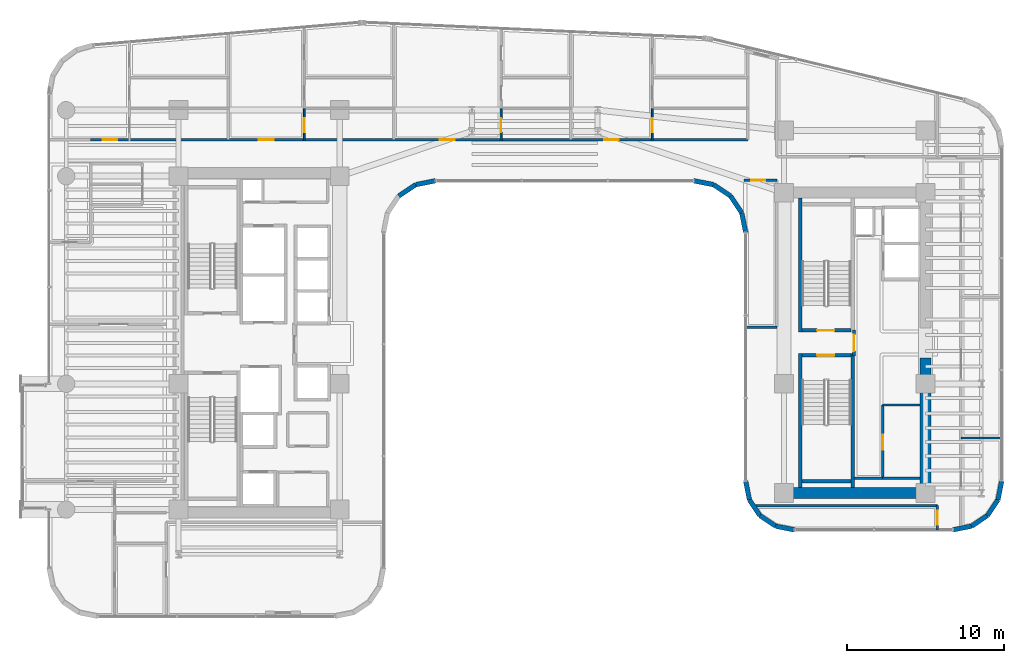
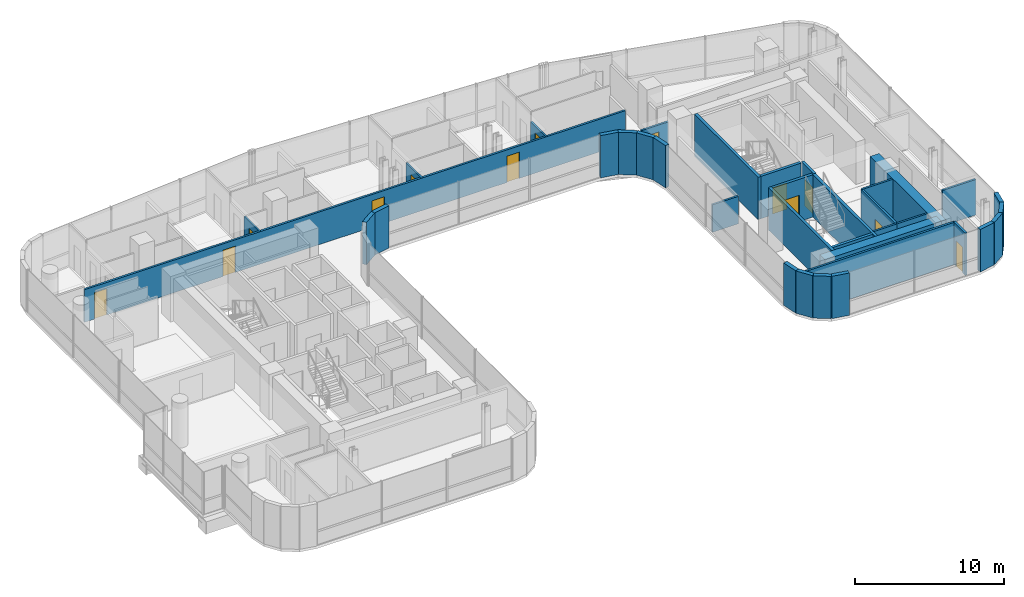
# One storey, part 30 of 37: 36 walls, 13 doors, 13 openings.
"""IFC4 building model written with IfcOpenShell, lengths in metres."""

from ifc_helpers import new_model, si_unit, direction, frame, frame_2d, origin, place, context, subcontext, project, spatial, rectangle, extrude, material, layer, layer_set, type_object, element, fill, save


model = new_model("IFC4")

# Units and contexts
model_context = context("Model", 3, precision=1e-05, world=origin(), true_north=direction((0.0, 1.0)))
body_context = subcontext(model_context, "Body", "Model", "MODEL_VIEW")
ifc_project = project(units=[si_unit("LENGTHUNIT", "METRE"), si_unit("AREAUNIT", "SQUARE_METRE"), si_unit("VOLUMEUNIT", "CUBIC_METRE"), si_unit("PLANEANGLEUNIT", "RADIAN"), si_unit("MASSUNIT", "GRAM", prefix="KILO")], contexts=[model_context])

# Site, building, storey
site_placement = place(None, origin())
site = spatial("IfcSite", under=ifc_project, at=site_placement, CompositionType="ELEMENT")
building_placement = place(site_placement, origin())
building = spatial("IfcBuilding", under=site, at=building_placement, Name="Valdorenza Pilgrim Sanctuary Tower", CompositionType="ELEMENT")
storey_placement = place(building_placement, frame((0.0, 0.0, 127.89990234375)))
storey = spatial("IfcBuildingStorey", under=building, at=storey_placement, Name="L32", CompositionType="ELEMENT", Elevation=127.89990234375)

# Wall
ifc_material_1 = material(Name="Acoustic twin-stud gypsum partition", Category="gypsum")
ifc_layer_1 = layer(ifc_material_1, 0.159912109375, Name="Acoustic twin-stud gypsum partition")
ifc_layer_set_1 = layer_set([ifc_layer_1], Name="Acoustic twin-stud gypsum partition")
wall_type_1 = type_object("IfcWallType", Name="WAL-COR-160", PredefinedType="PARTITIONING", material=ifc_layer_set_1)
wall_1_placement = place(storey_placement, frame((20.300048828125, -8.60009765625, 0.0), z_axis=(0.0, 0.0, 1.0), x_axis=(1.0, 0.0, 0.0)))
element("IfcWall", 1, at=wall_1_placement, inside=storey, type_object=wall_type_1, Name="L32 Core B Lift Hall South End Wall", PredefinedType="PARTITIONING", context=body_context, shape_type="SweptSolid", body=[
    extrude(rectangle(XDim=1.820068359375, YDim=0.159912109375, at=frame_2d((0.91015625, 0.0))), origin(), (0.0, 0.0, 1.0), 3.460205078125),
])

# Wall, opening, door
wall_2_placement = place(storey_placement, frame((22.1201171875, -8.60009765625, 0.0), z_axis=(0.0, 0.0, 1.0), x_axis=(0.0, 1.0, 0.0)))
wall_2 = element("IfcWall", 2, at=wall_2_placement, inside=storey, type_object=wall_type_1, Name="L32 Core B Freed Shaft West Wall", PredefinedType="PARTITIONING", context=body_context, shape_type="SweptSolid", body=[
    extrude(rectangle(XDim=4.650146484375, YDim=0.159912109375, at=frame_2d((2.3251953125, 0.0))), origin(), (0.0, 0.0, 1.0), 3.460205078125),
])
opening_1_placement = place(wall_2_placement, frame((1.800048828125, 0.0, 0.0)))
opening_1 = element("IfcOpeningElement", 3, at=opening_1_placement, cuts=wall_2, Name="Opening DR-UN1", PredefinedType="OPENING", context=body_context, shape_type="SweptSolid", body=[
    extrude(rectangle(XDim=0.949951171875, YDim=2.14990234375, at=frame_2d((0.47509765625, 1.074951171875))), frame((0.0, 0.0947265625, 0.0), z_axis=(0.0, -1.0, 0.0), x_axis=(1.0, 0.0, 0.0)), (0.0, 0.0, 1.0), 0.189697265625),
])
ifc_material_2 = material(Name="Solid-core European oak timber", Category="wood")
door_type_1 = type_object("IfcDoorType", Name="DR-UNIT-950", OperationType="NOTDEFINED", PredefinedType="DOOR", material=ifc_material_2)
door_1_placement = place(opening_1_placement, origin())
door_1 = element("IfcDoor", 4, at=door_1_placement, inside=storey, type_object=door_type_1, Name="L32 East Core Linen Store Door", OperationType="SINGLE_SWING_LEFT", OverallHeight=2.14990234375, OverallWidth=0.949951171875, PredefinedType="DOOR", context=body_context, shape_type="SweptSolid", body=[
    extrude(rectangle(XDim=0.949951171875, YDim=2.14990234375, at=frame_2d((0.47509765625, 1.074951171875))), frame((0.0, 0.02490234375, 0.0), z_axis=(0.0, -1.0, 0.0), x_axis=(1.0, 0.0, 0.0)), (0.0, 0.0, 1.0), 0.050048828125),
])
fill(opening_1, door_1)

# Wall, openings, doors
wall_3_placement = place(storey_placement, frame((-28.25, 12.919921875, 0.0), z_axis=(0.0, 0.0, 1.0), x_axis=(1.0, 0.0, 0.0)))
wall_3 = element("IfcWall", 5, at=wall_3_placement, inside=storey, type_object=wall_type_1, Name="L32 North Corridor Wall", PredefinedType="PARTITIONING", context=body_context, shape_type="SweptSolid", body=[
    extrude(rectangle(XDim=41.800048828125, YDim=0.159912109375, at=frame_2d((20.89990234375, 0.0))), origin(), (0.0, 0.0, 1.0), 2.666015625),
])
opening_2_placement = place(wall_3_placement, frame((0.762939453125, 0.0, 0.0)))
opening_2 = element("IfcOpeningElement", 6, at=opening_2_placement, cuts=wall_3, Name="Opening DR-UN1", PredefinedType="OPENING", context=body_context, shape_type="SweptSolid", body=[
    extrude(rectangle(XDim=0.949951171875, YDim=2.14990234375, at=frame_2d((0.47509765625, 1.074951171875))), frame((0.0, 0.0947265625, 0.0), z_axis=(0.0, -1.0, 0.0), x_axis=(1.0, 0.0, 0.0)), (0.0, 0.0, 1.0), 0.189697265625),
])
opening_3_placement = place(wall_3_placement, frame((10.696044921875, 0.0, 0.0)))
opening_3 = element("IfcOpeningElement", 7, at=opening_3_placement, cuts=wall_3, Name="Opening DR-UN1", PredefinedType="OPENING", context=body_context, shape_type="SweptSolid", body=[
    extrude(rectangle(XDim=0.949951171875, YDim=2.14990234375, at=frame_2d((0.47509765625, 1.074951171875))), frame((0.0, 0.0947265625, 0.0), z_axis=(0.0, -1.0, 0.0), x_axis=(1.0, 0.0, 0.0)), (0.0, 0.0, 1.0), 0.189697265625),
])
opening_4_placement = place(wall_3_placement, frame((22.215087890625, 0.0, 0.0)))
opening_4 = element("IfcOpeningElement", 8, at=opening_4_placement, cuts=wall_3, Name="Opening DR-UN1", PredefinedType="OPENING", context=body_context, shape_type="SweptSolid", body=[
    extrude(rectangle(XDim=0.949951171875, YDim=2.14990234375, at=frame_2d((0.47509765625, 1.074951171875))), frame((0.0, 0.0947265625, 0.0), z_axis=(0.0, -1.0, 0.0), x_axis=(1.0, 0.0, 0.0)), (0.0, 0.0, 1.0), 0.189697265625),
])
opening_5_placement = place(wall_3_placement, frame((32.652099609375, 0.0, 0.0)))
opening_5 = element("IfcOpeningElement", 9, at=opening_5_placement, cuts=wall_3, Name="Opening DR-UN1", PredefinedType="OPENING", context=body_context, shape_type="SweptSolid", body=[
    extrude(rectangle(XDim=0.949951171875, YDim=2.14990234375, at=frame_2d((0.47509765625, 1.074951171875))), frame((0.0, 0.0947265625, 0.0), z_axis=(0.0, -1.0, 0.0), x_axis=(1.0, 0.0, 0.0)), (0.0, 0.0, 1.0), 0.189697265625),
])
door_2_placement = place(opening_2_placement, frame((0.949951171875, 0.0, 0.0), z_axis=(0.0, 0.0, 1.0), x_axis=(-1.0, 0.0, 0.0)))
door_2 = element("IfcDoor", 10, at=door_2_placement, inside=storey, type_object=door_type_1, Name="L32 North Sanctuary Apartment L32-N1 Entrance Door", OperationType="SINGLE_SWING_LEFT", OverallHeight=2.14990234375, OverallWidth=0.949951171875, PredefinedType="DOOR", context=body_context, shape_type="SweptSolid", body=[
    extrude(rectangle(XDim=0.949951171875, YDim=2.14990234375, at=frame_2d((0.47509765625, 1.074951171875))), frame((0.0, 0.02490234375, 0.0), z_axis=(0.0, -1.0, 0.0), x_axis=(1.0, 0.0, 0.0)), (0.0, 0.0, 1.0), 0.050048828125),
])
fill(opening_2, door_2)
door_3_placement = place(opening_3_placement, frame((0.949951171875, 0.0, 0.0), z_axis=(0.0, 0.0, 1.0), x_axis=(-1.0, 0.0, 0.0)))
door_3 = element("IfcDoor", 11, at=door_3_placement, inside=storey, type_object=door_type_1, Name="L32 North Sanctuary Apartment L32-N2 Entrance Door", OperationType="SINGLE_SWING_LEFT", OverallHeight=2.14990234375, OverallWidth=0.949951171875, PredefinedType="DOOR", context=body_context, shape_type="SweptSolid", body=[
    extrude(rectangle(XDim=0.949951171875, YDim=2.14990234375, at=frame_2d((0.47509765625, 1.074951171875))), frame((0.0, 0.02490234375, 0.0), z_axis=(0.0, -1.0, 0.0), x_axis=(1.0, 0.0, 0.0)), (0.0, 0.0, 1.0), 0.050048828125),
])
fill(opening_3, door_3)
door_4_placement = place(opening_4_placement, frame((0.949951171875, 0.0, 0.0), z_axis=(0.0, 0.0, 1.0), x_axis=(-1.0, 0.0, 0.0)))
door_4 = element("IfcDoor", 12, at=door_4_placement, inside=storey, type_object=door_type_1, Name="L32 North Sanctuary Apartment L32-N3 Entrance Door", OperationType="SINGLE_SWING_LEFT", OverallHeight=2.14990234375, OverallWidth=0.949951171875, PredefinedType="DOOR", context=body_context, shape_type="SweptSolid", body=[
    extrude(rectangle(XDim=0.949951171875, YDim=2.14990234375, at=frame_2d((0.47509765625, 1.074951171875))), frame((0.0, 0.02490234375, 0.0), z_axis=(0.0, -1.0, 0.0), x_axis=(1.0, 0.0, 0.0)), (0.0, 0.0, 1.0), 0.050048828125),
])
fill(opening_4, door_4)
door_5_placement = place(opening_5_placement, frame((0.949951171875, 0.0, 0.0), z_axis=(0.0, 0.0, 1.0), x_axis=(-1.0, 0.0, 0.0)))
door_5 = element("IfcDoor", 13, at=door_5_placement, inside=storey, type_object=door_type_1, Name="L32 North Sanctuary Apartment L32-N4 Entrance Door", OperationType="SINGLE_SWING_LEFT", OverallHeight=2.14990234375, OverallWidth=0.949951171875, PredefinedType="DOOR", context=body_context, shape_type="SweptSolid", body=[
    extrude(rectangle(XDim=0.949951171875, YDim=2.14990234375, at=frame_2d((0.47509765625, 1.074951171875))), frame((0.0, 0.02490234375, 0.0), z_axis=(0.0, -1.0, 0.0), x_axis=(1.0, 0.0, 0.0)), (0.0, 0.0, 1.0), 0.050048828125),
])
fill(opening_5, door_5)

# Wall, opening, door
wall_4_placement = place(storey_placement, frame((25.60009765625, -11.889892578125, 0.0), z_axis=(0.0, 0.0, 1.0), x_axis=(0.0, 1.0, 0.0)))
wall_4 = element("IfcWall", 14, at=wall_4_placement, inside=storey, type_object=wall_type_1, Name="L32 Wing B South-East Wall", PredefinedType="PARTITIONING", context=body_context, shape_type="SweptSolid", body=[
    extrude(rectangle(XDim=1.539794921875, YDim=0.159912109375, at=frame_2d((0.77001953125, 0.0))), origin(), (0.0, 0.0, 1.0), 3.460205078125),
])
opening_6_placement = place(wall_4_placement, frame((0.320068359375, 0.0, 0.0)))
opening_6 = element("IfcOpeningElement", 15, at=opening_6_placement, cuts=wall_4, Name="Opening DR-RM1", PredefinedType="OPENING", context=body_context, shape_type="SweptSolid", body=[
    extrude(rectangle(XDim=0.89990234375, YDim=2.10009765625, at=frame_2d((0.449951171875, 1.050048828125))), frame((0.0, 0.0947265625, 0.0), z_axis=(0.0, -1.0, 0.0), x_axis=(1.0, 0.0, 0.0)), (0.0, 0.0, 1.0), 0.189697265625),
])
door_type_2 = type_object("IfcDoorType", Name="DR-ROOM-900", OperationType="NOTDEFINED", PredefinedType="DOOR", material=ifc_material_2)
door_6_placement = place(opening_6_placement, origin())
door_6 = element("IfcDoor", 16, at=door_6_placement, inside=storey, type_object=door_type_2, Name="L32 Sacred Manuscript Archive L32-BS Door", OperationType="SINGLE_SWING_RIGHT", OverallHeight=2.10009765625, OverallWidth=0.89990234375, PredefinedType="DOOR", context=body_context, shape_type="SweptSolid", body=[
    extrude(rectangle(XDim=0.89990234375, YDim=2.10009765625, at=frame_2d((0.449951171875, 1.050048828125))), frame((0.0, 0.02490234375, 0.0), z_axis=(0.0, -1.0, 0.0), x_axis=(1.0, 0.0, 0.0)), (0.0, 0.0, 1.0), 0.050048828125),
])
fill(opening_6, door_6)

# Wall
wall_5_placement = place(storey_placement, frame((14.043701171875, -10.35009765625, 0.0), z_axis=(0.0, 0.0, 1.0), x_axis=(1.0, 0.0, 0.0)))
element("IfcWall", 17, at=wall_5_placement, inside=storey, type_object=wall_type_1, Name="L32 Wing B South Closure", PredefinedType="PARTITIONING", context=body_context, shape_type="SweptSolid", body=[
    extrude(rectangle(XDim=11.556396484375, YDim=0.159912109375, at=frame_2d((5.7783203125, 0.0))), origin(), (0.0, 0.0, 1.0), 3.460205078125),
])

# Wall, opening, door
wall_6_placement = place(storey_placement, frame((13.300048828125, 10.35009765625, 0.0), z_axis=(0.0, 0.0, 1.0), x_axis=(1.0, 0.0, 0.0)))
wall_6 = element("IfcWall", 18, at=wall_6_placement, inside=storey, type_object=wall_type_1, Name="L32 Courtyard Overlook North Wall", PredefinedType="PARTITIONING", context=body_context, shape_type="SweptSolid", body=[
    extrude(rectangle(XDim=2.099853515625, YDim=0.159912109375, at=frame_2d((1.0498046875, 0.0))), origin(), (0.0, 0.0, 1.0), 2.666015625),
])
opening_7_placement = place(wall_6_placement, frame((0.449951171875, 0.0, 0.0)))
opening_7 = element("IfcOpeningElement", 19, at=opening_7_placement, cuts=wall_6, Name="Opening DR-RM1", PredefinedType="OPENING", context=body_context, shape_type="SweptSolid", body=[
    extrude(rectangle(XDim=0.89990234375, YDim=2.10009765625, at=frame_2d((0.449951171875, 1.050048828125))), frame((0.0, 0.0947265625, 0.0), z_axis=(0.0, -1.0, 0.0), x_axis=(1.0, 0.0, 0.0)), (0.0, 0.0, 1.0), 0.189697265625),
])
door_7_placement = place(opening_7_placement, origin())
door_7 = element("IfcDoor", 20, at=door_7_placement, inside=storey, type_object=door_type_2, Name="L32 Courtyard Overlook Salon Door", OperationType="SINGLE_SWING_LEFT", OverallHeight=2.10009765625, OverallWidth=0.89990234375, PredefinedType="DOOR", context=body_context, shape_type="SweptSolid", body=[
    extrude(rectangle(XDim=0.89990234375, YDim=2.10009765625, at=frame_2d((0.449951171875, 1.050048828125))), frame((0.0, 0.02490234375, 0.0), z_axis=(0.0, -1.0, 0.0), x_axis=(1.0, 0.0, 0.0)), (0.0, 0.0, 1.0), 0.050048828125),
])
fill(opening_7, door_7)

# Walls
wall_7_placement = place(storey_placement, frame((13.409912109375, 1.0, 0.0), z_axis=(0.0, 0.0, 1.0), x_axis=(1.0, 0.0, 0.0)))
element("IfcWall", 21, at=wall_7_placement, inside=storey, type_object=wall_type_1, Name="L32 Courtyard Overlook South Wall", PredefinedType="PARTITIONING", context=body_context, shape_type="SweptSolid", body=[
    extrude(rectangle(XDim=1.989990234375, YDim=0.159912109375, at=frame_2d((0.9951171875, 0.0))), origin(), (0.0, 0.0, 1.0), 2.2451171875),
])
ifc_material_3 = material(Name="Concrete C60/75", Category="concrete")
ifc_layer_2 = layer(ifc_material_3, 0.699951171875, Name="Concrete C60/75")
ifc_layer_set_2 = layer_set([ifc_layer_2], Name="Concrete C60/75")
wall_type_2 = type_object("IfcWallType", Name="WAL-COR-700", PredefinedType="SHEAR", material=ifc_layer_set_2)
wall_8_placement = place(storey_placement, frame((24.85009765625, -9.89990234375, 0.0), z_axis=(0.0, 0.0, 1.0), x_axis=(0.0, 1.0, 0.0)))
element("IfcWall", 22, at=wall_8_placement, inside=storey, type_object=wall_type_2, Name="L32 Split Core B Shear Wall ES", PredefinedType="SHEAR", context=body_context, shape_type="SweptSolid", body=[
    extrude(rectangle(XDim=8.949951171875, YDim=0.699951171875, at=frame_2d((4.47509765625, 0.0))), origin(), (0.0, 0.0, 1.0), 3.460205078125),
])
wall_9_placement = place(storey_placement, frame((15.85009765625, -9.550048828125, 0.0), z_axis=(0.0, 0.0, 1.0), x_axis=(1.0, 0.0, 0.0)))
element("IfcWall", 23, at=wall_9_placement, inside=storey, type_object=wall_type_2, Name="L32 Split Core B Shear Wall S", PredefinedType="SHEAR", context=body_context, shape_type="SweptSolid", body=[
    extrude(rectangle(XDim=9.0, YDim=0.699951171875, at=frame_2d((4.5, 0.0))), origin(), (0.0, 0.0, 1.0), 3.460205078125),
])
ifc_material_4 = material(Name="Honed travertine limestone", Category="masonry")
ifc_layer_3 = layer(ifc_material_4, 0.300048828125, Name="Honed travertine limestone")
ifc_layer_set_3 = layer_set([ifc_layer_3], Name="Honed travertine limestone")
wall_type_3 = type_object("IfcWallType", Name="WAL-EXT-300", PredefinedType="SOLIDWALL", material=ifc_layer_set_3)
wall_10_placement = place(storey_placement, frame((29.68994140625, -8.789306640625, 0.0), z_axis=(0.0, 0.0, 1.0), x_axis=(-0.194996050505, -0.980804027463, 0.0)))
element("IfcWall", 24, at=wall_10_placement, inside=storey, type_object=wall_type_3, Name="L32 Rounded Wind-Corner Stone Pier 22", PredefinedType="SOLIDWALL", context=body_context, shape_type="SweptSolid", body=[
    extrude(rectangle(XDim=1.2158203125, YDim=0.300048828125, at=frame_2d((0.60791015625, 0.0))), origin(), (0.0, 0.0, 1.0), 3.460205078125),
])
for number, where, z_axis, x_axis, name in (
    (25, (29.452880859375, -9.981689453125, 0.0), (0.0, 0.0, 1.0), (-0.555635100982, -0.831426265255, 0.0), "L32 Rounded Wind-Corner Stone Pier 23"),
    (26, (28.783447265625, -10.9833984375, 0.0), (0.0, 0.0, 1.0), (-0.831426265255, -0.555635100982, 0.0), "L32 Rounded Wind-Corner Stone Pier 24"),
):
    element("IfcWall", number, at=place(storey_placement, frame(where, z_axis=z_axis, x_axis=x_axis)), inside=storey, type_object=wall_type_3, Name=name, PredefinedType="SOLIDWALL", context=body_context, shape_type="SweptSolid", body=[
        extrude(rectangle(XDim=1.204833984375, YDim=0.300048828125, at=frame_2d((0.6025390625, 0.0))), origin(), (0.0, 0.0, 1.0), 3.460205078125),
    ])
wall_11_placement = place(storey_placement, frame((27.78173828125, -11.65283203125, 0.0), z_axis=(0.0, 0.0, 1.0), x_axis=(-0.980811661072, -0.194957650543, 0.0)))
element("IfcWall", 27, at=wall_11_placement, inside=storey, type_object=wall_type_3, Name="L32 Rounded Wind-Corner Stone Pier 25", PredefinedType="SOLIDWALL", context=body_context, shape_type="SweptSolid", body=[
    extrude(rectangle(XDim=1.216064453125, YDim=0.300048828125, at=frame_2d((0.60791015625, 0.0))), origin(), (0.0, 0.0, 1.0), 3.460205078125),
])
wall_12_placement = place(storey_placement, frame((16.5107421875, -11.889892578125, 0.0), z_axis=(0.0, 0.0, 1.0), x_axis=(-0.980804027463, 0.194996050505, 0.0)))
element("IfcWall", 28, at=wall_12_placement, inside=storey, type_object=wall_type_3, Name="L32 Rounded Wind-Corner Stone Pier 27", PredefinedType="SOLIDWALL", context=body_context, shape_type="SweptSolid", body=[
    extrude(rectangle(XDim=1.2158203125, YDim=0.300048828125, at=frame_2d((0.60791015625, 0.0))), origin(), (0.0, 0.0, 1.0), 3.460205078125),
])
for number, where, z_axis, x_axis, name in (
    (29, (15.318359375, -11.65283203125, 0.0), (0.0, 0.0, 1.0), (-0.831426265255, 0.555635100982, 0.0), "L32 Rounded Wind-Corner Stone Pier 28"),
    (30, (14.316650390625, -10.9833984375, 0.0), (0.0, 0.0, 1.0), (-0.555635100982, 0.831426265255, 0.0), "L32 Rounded Wind-Corner Stone Pier 29"),
):
    element("IfcWall", number, at=place(storey_placement, frame(where, z_axis=z_axis, x_axis=x_axis)), inside=storey, type_object=wall_type_3, Name=name, PredefinedType="SOLIDWALL", context=body_context, shape_type="SweptSolid", body=[
        extrude(rectangle(XDim=1.204833984375, YDim=0.300048828125, at=frame_2d((0.6025390625, 0.0))), origin(), (0.0, 0.0, 1.0), 3.460205078125),
    ])
wall_13_placement = place(storey_placement, frame((13.647216796875, -9.981689453125, 0.0), z_axis=(0.0, 0.0, 1.0), x_axis=(-0.195189223115, 0.980765602568, 0.0)))
element("IfcWall", 31, at=wall_13_placement, inside=storey, type_object=wall_type_3, Name="L32 Rounded Wind-Corner Stone Pier 30", PredefinedType="SOLIDWALL", context=body_context, shape_type="SweptSolid", body=[
    extrude(rectangle(XDim=1.2158203125, YDim=0.300048828125, at=frame_2d((0.60791015625, 0.0))), origin(), (0.0, 0.0, 1.0), 3.460205078125),
])
wall_14_placement = place(storey_placement, frame((13.409912109375, 7.0107421875, 0.0), z_axis=(0.0, 0.0, 1.0), x_axis=(-0.195090163074, 0.980785312019, 0.0)))
element("IfcWall", 32, at=wall_14_placement, inside=storey, type_object=wall_type_3, Name="L32 Rounded Wind-Corner Stone Pier 32", PredefinedType="SOLIDWALL", context=body_context, shape_type="SweptSolid", body=[
    extrude(rectangle(XDim=1.281494140625, YDim=0.300048828125, at=frame_2d((0.640625, 0.0))), origin(), (0.0, 0.0, 1.0), 3.460205078125),
])
for number, where, z_axis, x_axis, name in (
    (33, (13.159912109375, 8.267578125, 0.0), (0.0, 0.0, 1.0), (-0.555615398575, 0.831439431869, 0.0), "L32 Rounded Wind-Corner Stone Pier 33"),
    (34, (12.44189453125, 9.342041015625, 0.0), (0.0, 0.0, 1.0), (-0.831439431869, 0.555615398575, 0.0), "L32 Rounded Wind-Corner Stone Pier 34"),
):
    element("IfcWall", number, at=place(storey_placement, frame(where, z_axis=z_axis, x_axis=x_axis)), inside=storey, type_object=wall_type_3, Name=name, PredefinedType="SOLIDWALL", context=body_context, shape_type="SweptSolid", body=[
        extrude(rectangle(XDim=1.292236328125, YDim=0.300048828125, at=frame_2d((0.64599609375, 0.0))), origin(), (0.0, 0.0, 1.0), 3.460205078125),
    ])
for number, where, z_axis, x_axis, name in (
    (35, (11.367431640625, 10.06005859375, 0.0), (0.0, 0.0, 1.0), (-0.980778058848, 0.195126623715, 0.0), "L32 Rounded Wind-Corner Stone Pier 35"),
    (36, (-6.310791015625, 10.31005859375, 0.0), (0.0, 0.0, 1.0), (-0.980778058848, -0.195126623715, 0.0), "L32 Rounded Wind-Corner Stone Pier 37"),
):
    element("IfcWall", number, at=place(storey_placement, frame(where, z_axis=z_axis, x_axis=x_axis)), inside=storey, type_object=wall_type_3, Name=name, PredefinedType="SOLIDWALL", context=body_context, shape_type="SweptSolid", body=[
        extrude(rectangle(XDim=1.28125, YDim=0.300048828125, at=frame_2d((0.640625, 0.0))), origin(), (0.0, 0.0, 1.0), 3.460205078125),
    ])
wall_15_placement = place(storey_placement, frame((-7.5673828125, 10.06005859375, 0.0), z_axis=(0.0, 0.0, 1.0), x_axis=(-0.831497739511, -0.555528135371, 0.0)))
element("IfcWall", 37, at=wall_15_placement, inside=storey, type_object=wall_type_3, Name="L32 Rounded Wind-Corner Stone Pier 38", PredefinedType="SOLIDWALL", context=body_context, shape_type="SweptSolid", body=[
    extrude(rectangle(XDim=1.29248046875, YDim=0.300048828125, at=frame_2d((0.646240234375, 0.0))), origin(), (0.0, 0.0, 1.0), 3.460205078125),
])

# Wall, opening, door
ifc_material_5 = material(Name="Gypsum shaftwall partition", Category="gypsum")
ifc_layer_4 = layer(ifc_material_5, 0.199951171875, Name="Gypsum shaftwall partition")
ifc_layer_set_4 = layer_set([ifc_layer_4], Name="Gypsum shaftwall partition")
wall_type_4 = type_object("IfcWallType", Name="WAL-FFL-200", PredefinedType="PARTITIONING", material=ifc_layer_set_4)
wall_16_placement = place(storey_placement, frame((20.300048828125, -0.820068359375, 0.0), z_axis=(0.0, 0.0, 1.0), x_axis=(0.0, 1.0, 0.0)))
wall_16 = element("IfcWall", 38, at=wall_16_placement, inside=storey, type_object=wall_type_4, Name="L32 Core B Firefighting Lobby East Wall", PredefinedType="PARTITIONING", context=body_context, shape_type="SweptSolid", body=[
    extrude(rectangle(XDim=1.64013671875, YDim=0.199951171875, at=frame_2d((0.820068359375, 0.0))), origin(), (0.0, 0.0, 1.0), 3.460205078125),
])
opening_8_placement = place(wall_16_placement, frame((0.294921875, 0.0, 0.0)))
opening_8 = element("IfcOpeningElement", 39, at=opening_8_placement, cuts=wall_16, Name="Opening DR-FL1", PredefinedType="OPENING", context=body_context, shape_type="SweptSolid", body=[
    extrude(rectangle(XDim=1.050048828125, YDim=2.14990234375, at=frame_2d((0.52490234375, 1.074951171875))), frame((0.0, 0.11474609375, 0.0), z_axis=(0.0, -1.0, 0.0), x_axis=(1.0, 0.0, 0.0)), (0.0, 0.0, 1.0), 0.229736328125),
])
ifc_material_6 = material(Name="Painted galvanized steel", Category="steel")
door_type_3 = type_object("IfcDoorType", Name="DR-FFL-1050", OperationType="NOTDEFINED", PredefinedType="DOOR", material=ifc_material_6)
door_8_placement = place(opening_8_placement, frame((1.050048828125, 0.0, 0.0), z_axis=(0.0, 0.0, 1.0), x_axis=(-1.0, 0.0, 0.0)))
door_8 = element("IfcDoor", 40, at=door_8_placement, inside=storey, type_object=door_type_3, Name="L32 Core B Firefighting Lobby Door", OperationType="SINGLE_SWING_LEFT", OverallHeight=2.14990234375, OverallWidth=1.050048828125, PredefinedType="DOOR", context=body_context, shape_type="SweptSolid", body=[
    extrude(rectangle(XDim=1.050048828125, YDim=2.14990234375, at=frame_2d((0.52490234375, 1.074951171875))), frame((0.0, 0.02490234375, 0.0), z_axis=(0.0, -1.0, 0.0), x_axis=(1.0, 0.0, 0.0)), (0.0, 0.0, 1.0), 0.050048828125),
])
fill(opening_8, door_8)

ifc_material_7 = material(Name="Moisture-resistant gypsum partition", Category="gypsum")
ifc_layer_5 = layer(ifc_material_7, 0.1201171875, Name="Moisture-resistant gypsum partition")
ifc_layer_set_5 = layer_set([ifc_layer_5], Name="Moisture-resistant gypsum partition")
wall_type_5 = type_object("IfcWallType", Name="WAL-INT-120", PredefinedType="PARTITIONING", material=ifc_layer_set_5)
wall_17_placement = place(storey_placement, frame((-14.658447265625, 12.840087890625, 0.0), z_axis=(0.0, 0.0, 1.0), x_axis=(0.0, 1.0, 0.0)))
wall_17 = element("IfcWall", 41, at=wall_17_placement, inside=storey, type_object=wall_type_5, Name="L32 North Sanctuary Apartment L32-N2 Kitchen Door Wall", PredefinedType="PARTITIONING", context=body_context, shape_type="SweptSolid", body=[
    extrude(rectangle(XDim=2.079833984375, YDim=0.1201171875, at=frame_2d((1.0400390625, 0.0))), origin(), (0.0, 0.0, 1.0), 2.666015625),
])
opening_9_placement = place(wall_17_placement, frame((0.550048828125, 0.0, 0.0)))
opening_9 = element("IfcOpeningElement", 42, at=opening_9_placement, cuts=wall_17, Name="Opening DR-RM1", PredefinedType="OPENING", context=body_context, shape_type="SweptSolid", body=[
    extrude(rectangle(XDim=0.89990234375, YDim=2.10009765625, at=frame_2d((0.449951171875, 1.050048828125))), frame((0.0, 0.074951171875, 0.0), z_axis=(0.0, -1.0, 0.0), x_axis=(1.0, 0.0, 0.0)), (0.0, 0.0, 1.0), 0.14990234375),
])
door_9_placement = place(opening_9_placement, origin())
door_9 = element("IfcDoor", 43, at=door_9_placement, inside=storey, type_object=door_type_2, Name="L32 North Sanctuary Apartment L32-N2 Kitchen Door", OperationType="SINGLE_SWING_LEFT", OverallHeight=2.10009765625, OverallWidth=0.89990234375, PredefinedType="DOOR", context=body_context, shape_type="SweptSolid", body=[
    extrude(rectangle(XDim=0.89990234375, YDim=2.10009765625, at=frame_2d((0.449951171875, 1.050048828125))), frame((0.0, 0.02490234375, 0.0), z_axis=(0.0, -1.0, 0.0), x_axis=(1.0, 0.0, 0.0)), (0.0, 0.0, 1.0), 0.050048828125),
])
fill(opening_9, door_9)

wall_18_placement = place(storey_placement, frame((-2.14453125, 12.840087890625, 0.0), z_axis=(0.0, 0.0, 1.0), x_axis=(0.0, 1.0, 0.0)))
wall_18 = element("IfcWall", 44, at=wall_18_placement, inside=storey, type_object=wall_type_5, Name="L32 North Sanctuary Apartment L32-N3 Kitchen Door Wall", PredefinedType="PARTITIONING", context=body_context, shape_type="SweptSolid", body=[
    extrude(rectangle(XDim=2.079833984375, YDim=0.1201171875, at=frame_2d((1.0400390625, 0.0))), origin(), (0.0, 0.0, 1.0), 2.666015625),
])
opening_10_placement = place(wall_18_placement, frame((0.550048828125, 0.0, 0.0)))
opening_10 = element("IfcOpeningElement", 45, at=opening_10_placement, cuts=wall_18, Name="Opening DR-RM1", PredefinedType="OPENING", context=body_context, shape_type="SweptSolid", body=[
    extrude(rectangle(XDim=0.89990234375, YDim=2.10009765625, at=frame_2d((0.449951171875, 1.050048828125))), frame((0.0, 0.074951171875, 0.0), z_axis=(0.0, -1.0, 0.0), x_axis=(1.0, 0.0, 0.0)), (0.0, 0.0, 1.0), 0.14990234375),
])
door_10_placement = place(opening_10_placement, origin())
door_10 = element("IfcDoor", 46, at=door_10_placement, inside=storey, type_object=door_type_2, Name="L32 North Sanctuary Apartment L32-N3 Kitchen Door", OperationType="SINGLE_SWING_LEFT", OverallHeight=2.10009765625, OverallWidth=0.89990234375, PredefinedType="DOOR", context=body_context, shape_type="SweptSolid", body=[
    extrude(rectangle(XDim=0.89990234375, YDim=2.10009765625, at=frame_2d((0.449951171875, 1.050048828125))), frame((0.0, 0.02490234375, 0.0), z_axis=(0.0, -1.0, 0.0), x_axis=(1.0, 0.0, 0.0)), (0.0, 0.0, 1.0), 0.050048828125),
])
fill(opening_10, door_10)

wall_19_placement = place(storey_placement, frame((7.468017578125, 12.840087890625, 0.0), z_axis=(0.0, 0.0, 1.0), x_axis=(0.0, 1.0, 0.0)))
wall_19 = element("IfcWall", 47, at=wall_19_placement, inside=storey, type_object=wall_type_5, Name="L32 North Sanctuary Apartment L32-N4 Kitchen Door Wall", PredefinedType="PARTITIONING", context=body_context, shape_type="SweptSolid", body=[
    extrude(rectangle(XDim=2.079833984375, YDim=0.1201171875, at=frame_2d((1.0400390625, 0.0))), origin(), (0.0, 0.0, 1.0), 2.666015625),
])
opening_11_placement = place(wall_19_placement, frame((0.550048828125, 0.0, 0.0)))
opening_11 = element("IfcOpeningElement", 48, at=opening_11_placement, cuts=wall_19, Name="Opening DR-RM1", PredefinedType="OPENING", context=body_context, shape_type="SweptSolid", body=[
    extrude(rectangle(XDim=0.89990234375, YDim=2.10009765625, at=frame_2d((0.449951171875, 1.050048828125))), frame((0.0, 0.074951171875, 0.0), z_axis=(0.0, -1.0, 0.0), x_axis=(1.0, 0.0, 0.0)), (0.0, 0.0, 1.0), 0.14990234375),
])
door_11_placement = place(opening_11_placement, origin())
door_11 = element("IfcDoor", 49, at=door_11_placement, inside=storey, type_object=door_type_2, Name="L32 North Sanctuary Apartment L32-N4 Kitchen Door", OperationType="SINGLE_SWING_LEFT", OverallHeight=2.10009765625, OverallWidth=0.89990234375, PredefinedType="DOOR", context=body_context, shape_type="SweptSolid", body=[
    extrude(rectangle(XDim=0.89990234375, YDim=2.10009765625, at=frame_2d((0.449951171875, 1.050048828125))), frame((0.0, 0.02490234375, 0.0), z_axis=(0.0, -1.0, 0.0), x_axis=(1.0, 0.0, 0.0)), (0.0, 0.0, 1.0), 0.050048828125),
])
fill(opening_11, door_11)

# Wall
ifc_material_8 = material(Name="Concrete C40/50", Category="concrete")
ifc_layer_6 = layer(ifc_material_8, 0.219970703125, Name="Concrete C40/50")
ifc_layer_set_6 = layer_set([ifc_layer_6], Name="Concrete C40/50")
wall_type_6 = type_object("IfcWallType", Name="WAL-STR-SHF-220", PredefinedType="SHEAR", material=ifc_layer_set_6)
wall_20_placement = place(storey_placement, frame((16.889892578125, 0.679931640625, 0.0), z_axis=(0.0, 0.0, 1.0), x_axis=(0.0, 1.0, 0.0)))
element("IfcWall", 50, at=wall_20_placement, inside=storey, type_object=wall_type_6, Name="L32 ST-B1 Structural Stairwell Wall W", PredefinedType="SHEAR", context=body_context, shape_type="SweptSolid", body=[
    extrude(rectangle(XDim=8.52001953125, YDim=0.219970703125, at=frame_2d((4.260009765625, 0.0))), origin(), (0.0, 0.0, 1.0), 3.460205078125),
])

# Wall, opening, door
wall_21_placement = place(storey_placement, frame((17.0, 0.7900390625, 0.0), z_axis=(0.0, 0.0, 1.0), x_axis=(1.0, 0.0, 0.0)))
wall_21 = element("IfcWall", 51, at=wall_21_placement, inside=storey, type_object=wall_type_6, Name="L32 ST-B1 Structural Stairwell Wall S", PredefinedType="SHEAR", context=body_context, shape_type="SweptSolid", body=[
    extrude(rectangle(XDim=3.110107421875, YDim=0.219970703125, at=frame_2d((1.55517578125, 0.0))), origin(), (0.0, 0.0, 1.0), 3.460205078125),
])
opening_12_placement = place(wall_21_placement, frame((0.949951171875, 0.0, 0.0)))
opening_12 = element("IfcOpeningElement", 52, at=opening_12_placement, cuts=wall_21, Name="Opening DR-ST1", PredefinedType="OPENING", context=body_context, shape_type="SweptSolid", body=[
    extrude(rectangle(XDim=1.10009765625, YDim=2.14990234375, at=frame_2d((0.550048828125, 1.074951171875))), frame((0.0, 0.125, 0.0), z_axis=(0.0, -1.0, 0.0), x_axis=(1.0, 0.0, 0.0)), (0.0, 0.0, 1.0), 0.249755859375),
])
door_type_4 = type_object("IfcDoorType", Name="DR-STAIR-1100", OperationType="NOTDEFINED", PredefinedType="DOOR", material=ifc_material_6)
door_12_placement = place(opening_12_placement, origin())
door_12 = element("IfcDoor", 53, at=door_12_placement, inside=storey, type_object=door_type_4, Name="L32 Exit Stair ST-B1 Door", OperationType="SINGLE_SWING_RIGHT", OverallHeight=2.14990234375, OverallWidth=1.10009765625, PredefinedType="DOOR", context=body_context, shape_type="SweptSolid", body=[
    extrude(rectangle(XDim=1.10009765625, YDim=2.14990234375, at=frame_2d((0.550048828125, 1.074951171875))), frame((0.0, 0.02490234375, 0.0), z_axis=(0.0, -1.0, 0.0), x_axis=(1.0, 0.0, 0.0)), (0.0, 0.0, 1.0), 0.050048828125),
])
fill(opening_12, door_12)

# Walls
for number, where, z_axis, x_axis, name in (
    (54, (16.889892578125, -9.199951171875, 0.0), (0.0, 0.0, 1.0), (0.0, 1.0, 0.0), "L32 ST-B2 Structural Stairwell Wall W"),
    (55, (20.219970703125, -9.199951171875, 0.0), (0.0, 0.0, 1.0), (0.0, 1.0, 0.0), "L32 ST-B2 Structural Stairwell Wall E"),
):
    element("IfcWall", number, at=place(storey_placement, frame(where, z_axis=z_axis, x_axis=x_axis)), inside=storey, type_object=wall_type_6, Name=name, PredefinedType="SHEAR", context=body_context, shape_type="SweptSolid", body=[
        extrude(rectangle(XDim=8.52001953125, YDim=0.219970703125, at=frame_2d((4.260009765625, 0.0))), origin(), (0.0, 0.0, 1.0), 3.460205078125),
    ])
wall_22_placement = place(storey_placement, frame((17.0, -8.81005859375, 0.0), z_axis=(0.0, 0.0, 1.0), x_axis=(1.0, 0.0, 0.0)))
element("IfcWall", 56, at=wall_22_placement, inside=storey, type_object=wall_type_6, Name="L32 ST-B2 Structural Stairwell Wall S", PredefinedType="SHEAR", context=body_context, shape_type="SweptSolid", body=[
    extrude(rectangle(XDim=3.110107421875, YDim=0.219970703125, at=frame_2d((1.55517578125, 0.0))), origin(), (0.0, 0.0, 1.0), 3.460205078125),
])

# Wall, opening, door
wall_23_placement = place(storey_placement, frame((17.0, -0.7900390625, 0.0), z_axis=(0.0, 0.0, 1.0), x_axis=(1.0, 0.0, 0.0)))
wall_23 = element("IfcWall", 57, at=wall_23_placement, inside=storey, type_object=wall_type_6, Name="L32 ST-B2 Structural Stairwell Wall N", PredefinedType="SHEAR", context=body_context, shape_type="SweptSolid", body=[
    extrude(rectangle(XDim=3.110107421875, YDim=0.219970703125, at=frame_2d((1.55517578125, 0.0))), origin(), (0.0, 0.0, 1.0), 3.460205078125),
])
opening_13_placement = place(wall_23_placement, frame((0.949951171875, 0.0, 0.0)))
opening_13 = element("IfcOpeningElement", 58, at=opening_13_placement, cuts=wall_23, Name="Opening DR-ST1", PredefinedType="OPENING", context=body_context, shape_type="SweptSolid", body=[
    extrude(rectangle(XDim=1.10009765625, YDim=2.14990234375, at=frame_2d((0.550048828125, 1.074951171875))), frame((0.0, 0.125, 0.0), z_axis=(0.0, -1.0, 0.0), x_axis=(1.0, 0.0, 0.0)), (0.0, 0.0, 1.0), 0.249755859375),
])
door_13_placement = place(opening_13_placement, frame((1.10009765625, 0.0, 0.0), z_axis=(0.0, 0.0, 1.0), x_axis=(-1.0, 0.0, 0.0)))
door_13 = element("IfcDoor", 59, at=door_13_placement, inside=storey, type_object=door_type_4, Name="L32 Exit Stair ST-B2 Door", OperationType="SINGLE_SWING_LEFT", OverallHeight=2.14990234375, OverallWidth=1.10009765625, PredefinedType="DOOR", context=body_context, shape_type="SweptSolid", body=[
    extrude(rectangle(XDim=1.10009765625, YDim=2.14990234375, at=frame_2d((0.550048828125, 1.074951171875))), frame((0.0, 0.02490234375, 0.0), z_axis=(0.0, -1.0, 0.0), x_axis=(1.0, 0.0, 0.0)), (0.0, 0.0, 1.0), 0.050048828125),
])
fill(opening_13, door_13)

# Walls
ifc_layer_7 = layer(ifc_material_1, 0.14990234375, Name="Acoustic twin-stud gypsum partition")
ifc_layer_set_7 = layer_set([ifc_layer_7], Name="Acoustic twin-stud gypsum partition")
wall_type_7 = type_object("IfcWallType", Name="WAL-UNT-150", PredefinedType="PARTITIONING", material=ifc_layer_set_7)
for number, where, z_axis, x_axis, name in (
    (60, (22.1201171875, -3.949951171875, 0.0), (0.0, 0.0, 1.0), (1.0, 0.0, 0.0), "L32 Core B Freed Shaft North Wall"),
    (61, (22.1201171875, -8.60009765625, 0.0), (0.0, 0.0, 1.0), (1.0, 0.0, 0.0), "L32 Core B Freed Shaft South Wall"),
):
    element("IfcWall", number, at=place(storey_placement, frame(where, z_axis=z_axis, x_axis=x_axis)), inside=storey, type_object=wall_type_7, Name=name, PredefinedType="PARTITIONING", context=body_context, shape_type="SweptSolid", body=[
        extrude(rectangle(XDim=2.3798828125, YDim=0.14990234375, at=frame_2d((1.18994140625, 0.0))), origin(), (0.0, 0.0, 1.0), 3.460205078125),
    ])
wall_24_placement = place(storey_placement, frame((27.10009765625, -6.050048828125, 0.0), z_axis=(0.0, 0.0, 1.0), x_axis=(1.0, 0.0, 0.0)))
element("IfcWall", 62, at=wall_24_placement, inside=storey, type_object=wall_type_7, Name="L32 East Reading Lounge L32-EB2 Demising Wall", PredefinedType="PARTITIONING", context=body_context, shape_type="SweptSolid", body=[
    extrude(rectangle(XDim=2.58984375, YDim=0.14990234375, at=frame_2d((1.294921875, 0.0))), origin(), (0.0, 0.0, 1.0), 2.89599609375),
])

save(model, "model.ifc")
